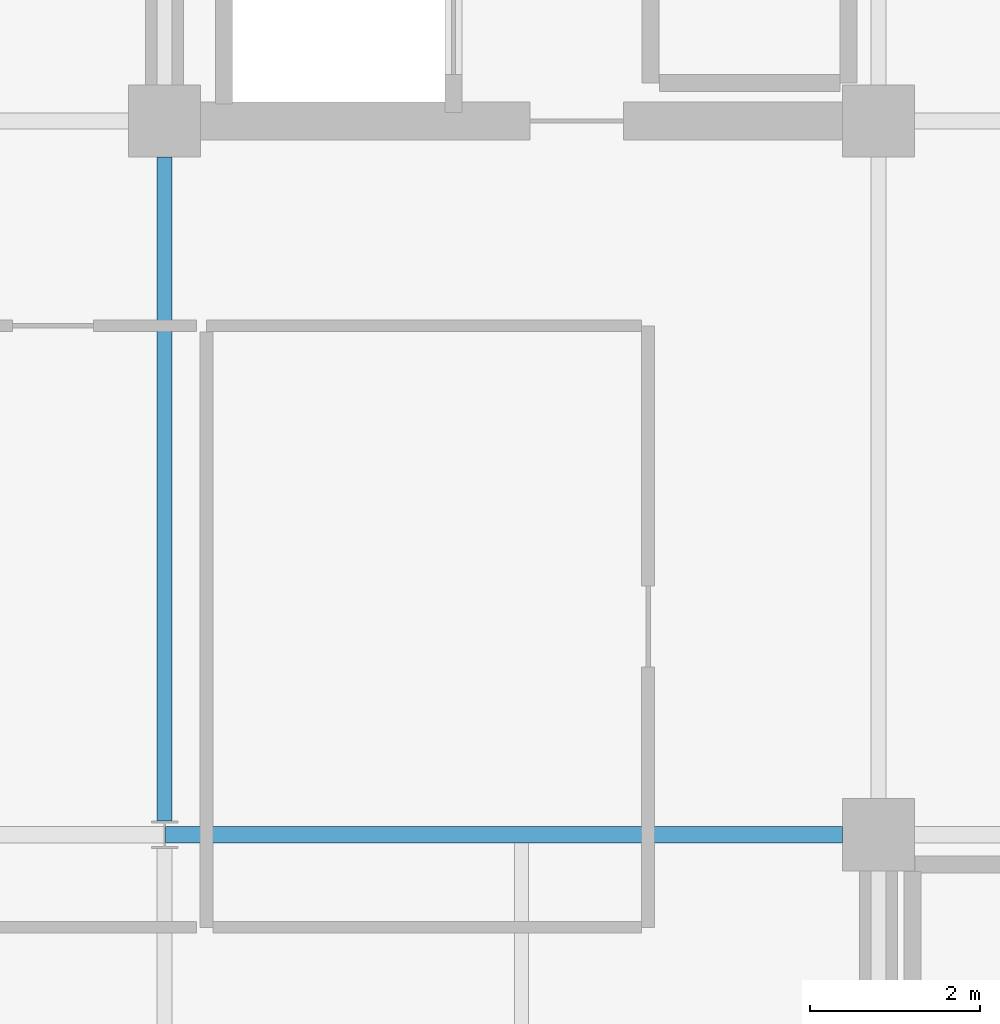
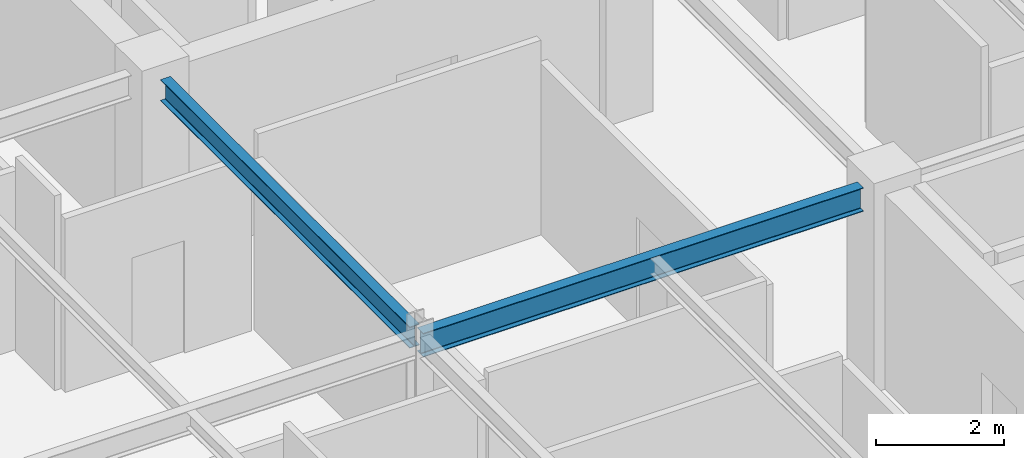
# One storey, part 10 of 24: 2 beams.
"""IFC4 building model written with IfcOpenShell, lengths in metres."""

from ifc_helpers import new_model, si_unit, direction, frame, origin, origin_2d, place, context, subcontext, project, spatial, i_section, extrude, material, material_profile, profile_set, type_object, element, save


model = new_model("IFC4")

# Units and contexts
model_context = context("Model", 3, precision=1e-05, world=origin(), true_north=direction((0.0, 1.0)))
body_context = subcontext(model_context, "Body", "Model", "MODEL_VIEW")
ifc_project = project(units=[si_unit("LENGTHUNIT", "METRE"), si_unit("AREAUNIT", "SQUARE_METRE"), si_unit("VOLUMEUNIT", "CUBIC_METRE"), si_unit("PLANEANGLEUNIT", "RADIAN"), si_unit("MASSUNIT", "GRAM", prefix="KILO")], contexts=[model_context])

# Site, building, storey
site_placement = place(None, origin())
site = spatial("IfcSite", under=ifc_project, at=site_placement, CompositionType="ELEMENT")
building_placement = place(site_placement, origin())
building = spatial("IfcBuilding", under=site, at=building_placement, Name="Nerrivon Quay Data Exchange", CompositionType="ELEMENT")
storey_placement = place(building_placement, frame((0.0, 0.0, 306.199951171875)))
storey = spatial("IfcBuildingStorey", under=building, at=storey_placement, Name="L73", CompositionType="ELEMENT", Elevation=306.199951171875)

# Beams
ifc_material = material(Name="Steel Grade 350", Category="steel")
ifc_material_profile_1 = material_profile(ifc_material, i_section(OverallWidth=0.18994140625, OverallDepth=0.4541015625, WebThickness=0.008544921875, FlangeThickness=0.0126953125, FilletRadius=0.011474609375, at=origin_2d()), Name="460UB67.1")
ifc_profile_set_1 = profile_set([ifc_material_profile_1], Name="Steel Grade 350")
beam_type_1 = type_object("IfcBeamType", Name="BM-G6-460UB67", PredefinedType="BEAM", material=ifc_profile_set_1)
beam_1_placement = place(storey_placement, frame((8.40771484375, 16.800048828125, 3.498046875), z_axis=(1.0, 0.0, 0.0), x_axis=(0.0, 1.0, 0.0)))
element("IfcBeam", 1, at=beam_1_placement, inside=storey, type_object=beam_type_1, Name="L73 EW Girder Y=16.8 (8.4..16.8)", PredefinedType="BEAM", context=body_context, shape_type="SweptSolid", body=[
    extrude(i_section(OverallWidth=0.18994140625, OverallDepth=0.4541015625, WebThickness=0.008544921875, FlangeThickness=0.0126953125, FilletRadius=0.011474609375, at=origin_2d()), origin(), (0.0, 0.0, 1.0), 7.96728515625),
])
ifc_material_profile_2 = material_profile(ifc_material, i_section(OverallWidth=0.177978515625, OverallDepth=0.406005859375, WebThickness=0.0078125, FlangeThickness=0.0126953125, FilletRadius=0.011474609375, at=origin_2d()), Name="410UB59.7")
ifc_profile_set_2 = profile_set([ifc_material_profile_2], Name="Steel Grade 350")
beam_type_2 = type_object("IfcBeamType", Name="BM-J1-410UB60", PredefinedType="JOIST", material=ifc_profile_set_2)
beam_2_placement = place(storey_placement, frame((8.39990234375, 16.96337890625, 3.52197265625), z_axis=(0.0, 1.0, 0.0), x_axis=(-1.0, 0.0, 0.0)))
element("IfcBeam", 2, at=beam_2_placement, inside=storey, type_object=beam_type_2, Name="L73 NS Girder X=8.4 (16.8..25.2)", PredefinedType="JOIST", context=body_context, shape_type="SweptSolid", body=[
    extrude(i_section(OverallWidth=0.177978515625, OverallDepth=0.406005859375, WebThickness=0.0078125, FlangeThickness=0.0126953125, FilletRadius=0.011474609375, at=origin_2d()), origin(), (0.0, 0.0, 1.0), 7.8115234375),
])

save(model, "model.ifc")
